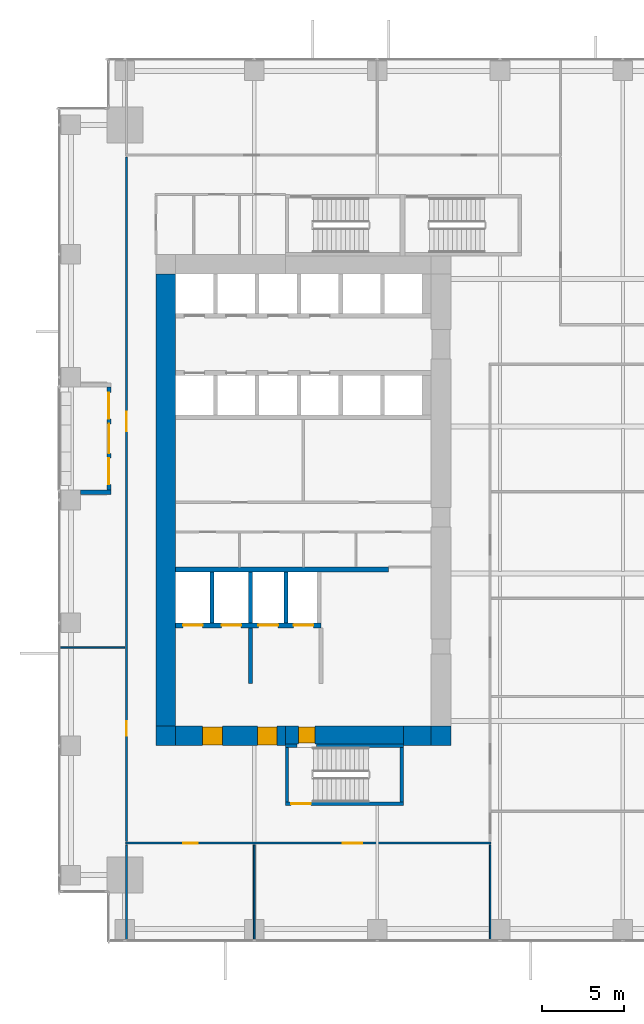
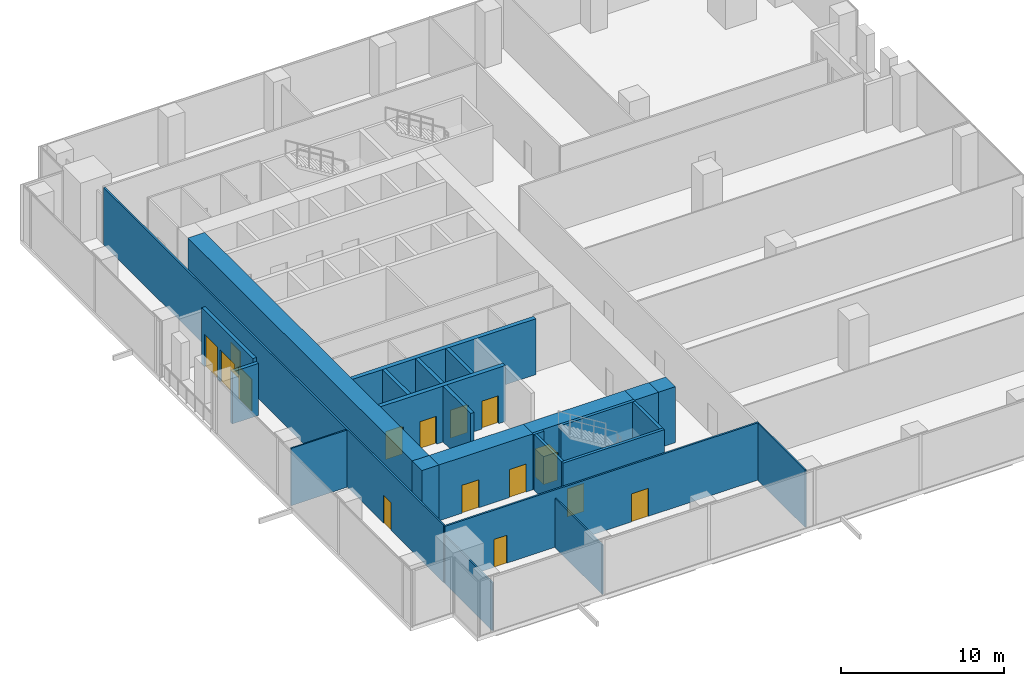
# One storey, part 26 of 32: 25 walls, 13 doors, 2 windows, 15 openings.
"""IFC4 building model written with IfcOpenShell, lengths in metres."""

from ifc_helpers import new_model, si_unit, direction, frame, frame_2d, origin, place, context, subcontext, project, spatial, rectangle, extrude, source, transform, mapped, material, layer, layer_set, type_object, element, fill, save


model = new_model("IFC4")

# Units and contexts
model_context = context("Model", 3, precision=1e-05, world=origin(), true_north=direction((0.0, 1.0)))
body_context = subcontext(model_context, "Body", "Model", "MODEL_VIEW")
ifc_project = project(units=[si_unit("LENGTHUNIT", "METRE"), si_unit("AREAUNIT", "SQUARE_METRE"), si_unit("VOLUMEUNIT", "CUBIC_METRE"), si_unit("PLANEANGLEUNIT", "RADIAN"), si_unit("MASSUNIT", "GRAM", prefix="KILO")], contexts=[model_context])

# Site, building, storey
site_placement = place(None, origin())
site = spatial("IfcSite", under=ifc_project, at=site_placement, CompositionType="ELEMENT")
building_placement = place(site_placement, origin())
building = spatial("IfcBuilding", under=site, at=building_placement, Name="Khomas Fold Tower", CompositionType="ELEMENT")
storey_placement = place(building_placement, frame((0.0, 0.0, 64.5)))
storey = spatial("IfcBuildingStorey", under=building, at=storey_placement, Name="L13", CompositionType="ELEMENT", Elevation=64.5)

# Wall, openings, doors
ifc_material_1 = material(Name="Concrete C70/85", Category="concrete")
ifc_layer_1 = layer(ifc_material_1, 1.199951171875)
ifc_layer_set_1 = layer_set([ifc_layer_1], Name="Concrete C70/85")
wall_type_1 = type_object("IfcWallType", Name="Core wall 1200", PredefinedType="SHEAR", material=ifc_layer_set_1)
shared_shape_1 = source(origin(), body_context, "Body", "SweptSolid", [
    extrude(rectangle(XDim=6.699951171875, YDim=1.199951171875, at=frame_2d((3.35009765625, 0.0))), origin(), (0.0, 0.0, 1.0), 4.199951171875),
])
wall_1_placement = place(storey_placement, frame((7.199951171875, 12.60009765625, 0.0), z_axis=(0.0, 0.0, 1.0), x_axis=(1.0, 0.0, 0.0)))
wall_1 = element("IfcWall", 1, at=wall_1_placement, inside=storey, type_object=wall_type_1, Name="Core wall CW-L-S-B2", PredefinedType="SHEAR", context=body_context, shape_type="MappedRepresentation", body=[
    mapped(shared_shape_1, transform((0.0, 0.0, 0.0))),
])
shared_shape_2 = source(origin(), body_context, "Body", "SweptSolid", [
    extrude(rectangle(XDim=1.199951171875, YDim=2.10009765625, at=frame_2d((0.60009765625, 1.050048828125))), frame((0.0, 0.60986328125, 0.0), z_axis=(0.0, -1.0, 0.0), x_axis=(1.0, 0.0, 0.0)), (0.0, 0.0, 1.0), 1.219970703125),
])
opening_1_placement = place(wall_1_placement, frame((5.0, 0.0, 0.0)))
opening_1 = element("IfcOpeningElement", 2, at=opening_1_placement, cuts=wall_1, Name="Opening 0009", PredefinedType="OPENING", context=body_context, shape_type="MappedRepresentation", body=[
    mapped(shared_shape_2, transform((0.0, 0.0, 0.0))),
])
opening_2_placement = place(wall_1_placement, frame((1.64990234375, 0.0, 0.0)))
opening_2 = element("IfcOpeningElement", 3, at=opening_2_placement, cuts=wall_1, Name="Opening 0009", PredefinedType="OPENING", context=body_context, shape_type="MappedRepresentation", body=[
    mapped(shared_shape_2, transform((0.0, 0.0, 0.0))),
])
ifc_material_2 = material(Name="Steel door leaf", Category="steel")
door_type_1 = type_object("IfcDoorType", Name="Lobby door 1200x2100 right-hand", OperationType="SINGLE_SWING_RIGHT", PredefinedType="DOOR", material=ifc_material_2)
shared_shape_3 = source(origin(), body_context, "Body", "SweptSolid", [
    extrude(rectangle(XDim=1.199951171875, YDim=2.10009765625, at=frame_2d((0.60009765625, 1.050048828125))), frame((0.0, 0.5498046875, 0.0), z_axis=(0.0, -1.0, 0.0), x_axis=(1.0, 0.0, 0.0)), (0.0, 0.0, 1.0), 1.099853515625),
])
door_1_placement = place(opening_1_placement, origin())
door_1 = element("IfcDoor", 4, at=door_1_placement, inside=storey, type_object=door_type_1, Name="Lobby door", OperationType="SINGLE_SWING_RIGHT", OverallHeight=2.10009765625, OverallWidth=1.199951171875, PredefinedType="DOOR", context=body_context, shape_type="MappedRepresentation", body=[
    mapped(shared_shape_3, transform((0.0, 0.0, 0.0))),
])
fill(opening_1, door_1)
door_2_placement = place(opening_2_placement, origin())
door_2 = element("IfcDoor", 5, at=door_2_placement, inside=storey, type_object=door_type_1, Name="Lobby door", OperationType="SINGLE_SWING_RIGHT", OverallHeight=2.10009765625, OverallWidth=1.199951171875, PredefinedType="DOOR", context=body_context, shape_type="MappedRepresentation", body=[
    mapped(shared_shape_3, transform((0.0, 0.0, 0.0))),
])
fill(opening_2, door_2)

# Walls
ifc_material_3 = material(Name="Concrete C70/85", Category="concrete")
ifc_layer_2 = layer(ifc_material_3, 1.199951171875)
ifc_layer_set_2 = layer_set([ifc_layer_2], Name="Concrete C70/85")
wall_type_2 = type_object("IfcWallType", Name="Core corner wall 1200", PredefinedType="SHEAR", material=ifc_layer_set_2)
shared_shape_4 = source(origin(), body_context, "Body", "SweptSolid", [
    extrude(rectangle(XDim=1.199951171875, YDim=1.199951171875, at=frame_2d((0.60009765625, 0.0))), origin(), (0.0, 0.0, 1.0), 4.199951171875),
])
for number, where, z_axis, x_axis, name in (
    (6, (22.800048828125, 12.60009765625, 0.0), (0.0, 0.0, 1.0), (1.0, 0.0, 0.0), "Core wall CW-L-SE-B2"),
    (7, (6.0, 12.60009765625, 0.0), (0.0, 0.0, 1.0), (1.0, 0.0, 0.0), "Core wall CW-L-SW-B2"),
):
    element("IfcWall", number, at=place(storey_placement, frame(where, z_axis=z_axis, x_axis=x_axis)), inside=storey, type_object=wall_type_2, Name=name, PredefinedType="SHEAR", context=body_context, shape_type="MappedRepresentation", body=[
        mapped(shared_shape_4, transform((0.0, 0.0, 0.0))),
    ])

# Wall, opening, door
ifc_material_4 = material(Name="Concrete C70/85", Category="concrete")
ifc_layer_3 = layer(ifc_material_4, 1.10009765625)
ifc_layer_set_3 = layer_set([ifc_layer_3], Name="Concrete C70/85")
wall_type_3 = type_object("IfcWallType", Name="Core wall 1100", PredefinedType="SHEAR", material=ifc_layer_set_3)
shared_shape_5 = source(origin(), body_context, "Body", "SweptSolid", [
    extrude(rectangle(XDim=7.2001953125, YDim=1.10009765625, at=frame_2d((3.60009765625, 0.0))), origin(), (0.0, 0.0, 1.0), 4.199951171875),
])
wall_2_placement = place(storey_placement, frame((13.89990234375, 12.64990234375, 0.0), z_axis=(0.0, 0.0, 1.0), x_axis=(1.0, 0.0, 0.0)))
wall_2 = element("IfcWall", 8, at=wall_2_placement, inside=storey, type_object=wall_type_3, Name="Core wall CW-L-S-B2-1", PredefinedType="SHEAR", context=body_context, shape_type="MappedRepresentation", body=[
    mapped(shared_shape_5, transform((0.0, 0.0, 0.0))),
])
shared_shape_6 = source(origin(), body_context, "Body", "SweptSolid", [
    extrude(rectangle(XDim=1.0, YDim=2.10009765625, at=frame_2d((0.5, 1.050048828125))), frame((0.0, 0.56005859375, 0.0), z_axis=(0.0, -1.0, 0.0), x_axis=(1.0, 0.0, 0.0)), (0.0, 0.0, 1.0), 1.1201171875),
])
opening_3_placement = place(wall_2_placement, frame((0.800048828125, 0.0, 0.0)))
opening_3 = element("IfcOpeningElement", 9, at=opening_3_placement, cuts=wall_2, Name="Opening 0010", PredefinedType="OPENING", context=body_context, shape_type="MappedRepresentation", body=[
    mapped(shared_shape_6, transform((0.0, 0.0, 0.0))),
])
ifc_material_5 = material(Name="Steel door leaf", Category="steel")
door_type_2 = type_object("IfcDoorType", Name="Stair door 1000x2100 right-hand", OperationType="SINGLE_SWING_RIGHT", PredefinedType="DOOR", material=ifc_material_5)
shared_shape_7 = source(origin(), body_context, "Body", "SweptSolid", [
    extrude(rectangle(XDim=1.0, YDim=2.10009765625, at=frame_2d((0.5, 1.050048828125))), frame((0.0, 0.5, 0.0), z_axis=(0.0, -1.0, 0.0), x_axis=(1.0, 0.0, 0.0)), (0.0, 0.0, 1.0), 1.0),
])
door_3_placement = place(opening_3_placement, origin())
door_3 = element("IfcDoor", 10, at=door_3_placement, inside=storey, type_object=door_type_2, Name="Stair door", OperationType="SINGLE_SWING_RIGHT", OverallHeight=2.10009765625, OverallWidth=1.0, PredefinedType="DOOR", context=body_context, shape_type="MappedRepresentation", body=[
    mapped(shared_shape_7, transform((0.0, 0.0, 0.0))),
])
fill(opening_3, door_3)

# Walls
shared_shape_8 = source(origin(), body_context, "Body", "SweptSolid", [
    extrude(rectangle(XDim=1.699951171875, YDim=1.199951171875, at=frame_2d((0.85009765625, 0.0))), origin(), (0.0, 0.0, 1.0), 4.199951171875),
])
wall_3_placement = place(storey_placement, frame((21.10009765625, 12.60009765625, 0.0), z_axis=(0.0, 0.0, 1.0), x_axis=(1.0, 0.0, 0.0)))
element("IfcWall", 11, at=wall_3_placement, inside=storey, type_object=wall_type_1, Name="Core wall CW-L-S-B2-2", PredefinedType="SHEAR", context=body_context, shape_type="MappedRepresentation", body=[
    mapped(shared_shape_8, transform((0.0, 0.0, 0.0))),
])
shared_shape_9 = source(origin(), body_context, "Body", "SweptSolid", [
    extrude(rectangle(XDim=27.60009765625, YDim=1.199951171875, at=frame_2d((13.800048828125, 0.0))), origin(), (0.0, 0.0, 1.0), 4.199951171875),
])
wall_4_placement = place(storey_placement, frame((6.60009765625, 13.199951171875, 0.0), z_axis=(0.0, 0.0, 1.0), x_axis=(0.0, 1.0, 0.0)))
element("IfcWall", 12, at=wall_4_placement, inside=storey, type_object=wall_type_1, Name="Core wall CW-L-W-B2", PredefinedType="SHEAR", context=body_context, shape_type="MappedRepresentation", body=[
    mapped(shared_shape_9, transform((0.0, 0.0, 0.0))),
])
ifc_material_6 = material(Name="Concrete C50/60", Category="concrete")
ifc_layer_4 = layer(ifc_material_6, 0.199951171875)
ifc_layer_set_4 = layer_set([ifc_layer_4], Name="Concrete C50/60")
wall_type_4 = type_object("IfcWallType", Name="Stair wall 200", PredefinedType="SHEAR", material=ifc_layer_set_4)
shared_shape_10 = source(origin(), body_context, "Body", "SweptSolid", [
    extrude(rectangle(XDim=0.7001953125, YDim=0.199951171875, at=frame_2d((0.35009765625, 0.0))), origin(), (0.0, 0.0, 1.0), 4.199951171875),
])
wall_5_placement = place(storey_placement, frame((13.89990234375, 12.0, 0.0), z_axis=(0.0, 0.0, 1.0), x_axis=(1.0, 0.0, 0.0)))
element("IfcWall", 13, at=wall_5_placement, inside=storey, type_object=wall_type_4, Name="Stair wall SW-ST2-N", PredefinedType="SHEAR", context=body_context, shape_type="MappedRepresentation", body=[
    mapped(shared_shape_10, transform((0.0, 0.0, 0.0))),
])
shared_shape_11 = source(origin(), body_context, "Body", "SweptSolid", [
    extrude(rectangle(XDim=5.300048828125, YDim=0.199951171875, at=frame_2d((2.64990234375, 0.0))), origin(), (0.0, 0.0, 1.0), 4.199951171875),
])
wall_6_placement = place(storey_placement, frame((15.800048828125, 12.0, 0.0), z_axis=(0.0, 0.0, 1.0), x_axis=(1.0, 0.0, 0.0)))
element("IfcWall", 14, at=wall_6_placement, inside=storey, type_object=wall_type_4, Name="Stair wall SW-ST2-NB", PredefinedType="SHEAR", context=body_context, shape_type="MappedRepresentation", body=[
    mapped(shared_shape_11, transform((0.0, 0.0, 0.0))),
])

# Wall, opening, door
shared_shape_12 = source(origin(), body_context, "Body", "SweptSolid", [
    extrude(rectangle(XDim=7.2001953125, YDim=0.199951171875, at=frame_2d((3.60009765625, 0.0))), origin(), (0.0, 0.0, 1.0), 4.199951171875),
])
wall_7_placement = place(storey_placement, frame((13.89990234375, 8.449951171875, 0.0), z_axis=(0.0, 0.0, 1.0), x_axis=(1.0, 0.0, 0.0)))
wall_7 = element("IfcWall", 15, at=wall_7_placement, inside=storey, type_object=wall_type_4, Name="Stair wall SW-ST2-S", PredefinedType="SHEAR", context=body_context, shape_type="MappedRepresentation", body=[
    mapped(shared_shape_12, transform((0.0, 0.0, 0.0))),
])
shared_shape_13 = source(origin(), body_context, "Body", "SweptSolid", [
    extrude(rectangle(XDim=1.199951171875, YDim=2.10009765625, at=frame_2d((0.60009765625, 1.050048828125))), frame((0.0, 0.10986328125, 0.0), z_axis=(0.0, -1.0, 0.0), x_axis=(1.0, 0.0, 0.0)), (0.0, 0.0, 1.0), 0.219970703125),
])
opening_4_placement = place(wall_7_placement, frame((0.35009765625, 0.0, 0.0)))
opening_4 = element("IfcOpeningElement", 16, at=opening_4_placement, cuts=wall_7, Name="Opening SD-ST2", PredefinedType="OPENING", context=body_context, shape_type="MappedRepresentation", body=[
    mapped(shared_shape_13, transform((0.0, 0.0, 0.0))),
])
ifc_material_7 = material(Name="Steel door leaf", Category="steel")
door_type_3 = type_object("IfcDoorType", Name="Stair door 1200x2100 right-hand", OperationType="SINGLE_SWING_RIGHT", PredefinedType="DOOR", material=ifc_material_7)
shared_shape_14 = source(origin(), body_context, "Body", "SweptSolid", [
    extrude(rectangle(XDim=1.199951171875, YDim=2.10009765625, at=frame_2d((0.60009765625, 1.050048828125))), frame((0.0, 0.02490234375, 0.0), z_axis=(0.0, -1.0, 0.0), x_axis=(1.0, 0.0, 0.0)), (0.0, 0.0, 1.0), 0.050048828125),
])
door_4_placement = place(opening_4_placement, origin())
door_4 = element("IfcDoor", 17, at=door_4_placement, inside=storey, type_object=door_type_3, Name="Stair door", OperationType="SINGLE_SWING_RIGHT", OverallHeight=2.10009765625, OverallWidth=1.199951171875, PredefinedType="DOOR", context=body_context, shape_type="MappedRepresentation", body=[
    mapped(shared_shape_14, transform((0.0, 0.0, 0.0))),
])
fill(opening_4, door_4)

# Walls
shared_shape_15 = source(origin(), body_context, "Body", "SweptSolid", [
    extrude(rectangle(XDim=3.349853515625, YDim=0.199951171875, at=frame_2d((1.6748046875, 0.0))), origin(), (0.0, 0.0, 1.0), 4.199951171875),
])
for number, where, z_axis, x_axis, name in (
    (18, (21.0, 8.550048828125, 0.0), (0.0, 0.0, 1.0), (0.0, 1.0, 0.0), "Stair wall SW-ST2-E"),
    (19, (14.0, 8.550048828125, 0.0), (0.0, 0.0, 1.0), (0.0, 1.0, 0.0), "Stair wall SW-ST2-W"),
):
    element("IfcWall", number, at=place(storey_placement, frame(where, z_axis=z_axis, x_axis=x_axis)), inside=storey, type_object=wall_type_4, Name=name, PredefinedType="SHEAR", context=body_context, shape_type="MappedRepresentation", body=[
        mapped(shared_shape_15, transform((0.0, 0.0, 0.0))),
    ])
ifc_material_8 = material(Name="Concrete C50/60", Category="concrete")
ifc_layer_5 = layer(ifc_material_8, 0.300048828125)
ifc_layer_set_5 = layer_set([ifc_layer_5], Name="Concrete C50/60")
wall_type_5 = type_object("IfcWallType", Name="Shaft wall 300", PredefinedType="STANDARD", material=ifc_layer_set_5)
shared_shape_16 = source(origin(), body_context, "Body", "SweptSolid", [
    extrude(rectangle(XDim=13.0, YDim=0.300048828125, at=frame_2d((6.5, 0.0))), origin(), (0.0, 0.0, 1.0), 4.199951171875),
])
wall_8_placement = place(storey_placement, frame((7.199951171875, 22.75, 0.0), z_axis=(0.0, 0.0, 1.0), x_axis=(1.0, 0.0, 0.0)))
element("IfcWall", 20, at=wall_8_placement, inside=storey, type_object=wall_type_5, Name="Core wall SW-FS-B", PredefinedType="STANDARD", context=body_context, shape_type="MappedRepresentation", body=[
    mapped(shared_shape_16, transform((0.0, 0.0, 0.0))),
])

# Wall, openings, doors
shared_shape_17 = source(origin(), body_context, "Body", "SweptSolid", [
    extrude(rectangle(XDim=8.875, YDim=0.300048828125, at=frame_2d((4.4375, 0.0))), origin(), (0.0, 0.0, 1.0), 4.199951171875),
])
wall_9_placement = place(storey_placement, frame((7.199951171875, 19.35009765625, 0.0), z_axis=(0.0, 0.0, 1.0), x_axis=(1.0, 0.0, 0.0)))
wall_9 = element("IfcWall", 21, at=wall_9_placement, inside=storey, type_object=wall_type_5, Name="Core wall SW-FS-F", PredefinedType="STANDARD", context=body_context, shape_type="MappedRepresentation", body=[
    mapped(shared_shape_17, transform((0.0, 0.0, 0.0))),
])
shared_shape_18 = source(origin(), body_context, "Body", "SweptSolid", [
    extrude(rectangle(XDim=1.199951171875, YDim=2.10009765625, at=frame_2d((0.60009765625, 1.050048828125))), frame((0.0, 0.159912109375, 0.0), z_axis=(0.0, -1.0, 0.0), x_axis=(1.0, 0.0, 0.0)), (0.0, 0.0, 1.0), 0.320068359375),
])
opening_5_placement = place(wall_9_placement, frame((0.449951171875, 0.0, 0.0)))
opening_5 = element("IfcOpeningElement", 22, at=opening_5_placement, cuts=wall_9, Name="Opening LD-SV1", PredefinedType="OPENING", context=body_context, shape_type="MappedRepresentation", body=[
    mapped(shared_shape_18, transform((0.0, 0.0, 0.0))),
])
opening_6_placement = place(wall_9_placement, frame((2.800048828125, 0.0, 0.0)))
opening_6 = element("IfcOpeningElement", 23, at=opening_6_placement, cuts=wall_9, Name="Opening LD-SV2", PredefinedType="OPENING", context=body_context, shape_type="MappedRepresentation", body=[
    mapped(shared_shape_18, transform((0.0, 0.0, 0.0))),
])
opening_7_placement = place(wall_9_placement, frame((5.050048828125, 0.0, 0.0)))
opening_7 = element("IfcOpeningElement", 24, at=opening_7_placement, cuts=wall_9, Name="Opening LD-FF1", PredefinedType="OPENING", context=body_context, shape_type="MappedRepresentation", body=[
    mapped(shared_shape_18, transform((0.0, 0.0, 0.0))),
])
opening_8_placement = place(wall_9_placement, frame((7.199951171875, 0.0, 0.0)))
opening_8 = element("IfcOpeningElement", 25, at=opening_8_placement, cuts=wall_9, Name="Opening LD-FF2", PredefinedType="OPENING", context=body_context, shape_type="MappedRepresentation", body=[
    mapped(shared_shape_18, transform((0.0, 0.0, 0.0))),
])
ifc_material_9 = material(Name="Steel door leaf", Category="steel")
door_type_4 = type_object("IfcDoorType", Name="Landing door 1200x2100", OperationType="DOUBLE_DOOR_SLIDING", PredefinedType="DOOR", material=ifc_material_9)
door_5_placement = place(opening_5_placement, origin())
door_5 = element("IfcDoor", 26, at=door_5_placement, inside=storey, type_object=door_type_4, Name="Lift landing door", OperationType="DOUBLE_DOOR_SLIDING", OverallHeight=2.10009765625, OverallWidth=1.199951171875, PredefinedType="DOOR", context=body_context, shape_type="MappedRepresentation", body=[
    mapped(shared_shape_14, transform((0.0, 0.0, 0.0))),
])
fill(opening_5, door_5)
door_6_placement = place(opening_6_placement, origin())
door_6 = element("IfcDoor", 27, at=door_6_placement, inside=storey, type_object=door_type_4, Name="Lift landing door", OperationType="DOUBLE_DOOR_SLIDING", OverallHeight=2.10009765625, OverallWidth=1.199951171875, PredefinedType="DOOR", context=body_context, shape_type="MappedRepresentation", body=[
    mapped(shared_shape_14, transform((0.0, 0.0, 0.0))),
])
fill(opening_6, door_6)
door_7_placement = place(opening_7_placement, origin())
door_7 = element("IfcDoor", 28, at=door_7_placement, inside=storey, type_object=door_type_4, Name="Lift landing door", OperationType="DOUBLE_DOOR_SLIDING", OverallHeight=2.10009765625, OverallWidth=1.199951171875, PredefinedType="DOOR", context=body_context, shape_type="MappedRepresentation", body=[
    mapped(shared_shape_14, transform((0.0, 0.0, 0.0))),
])
fill(opening_7, door_7)
door_8_placement = place(opening_8_placement, origin())
door_8 = element("IfcDoor", 29, at=door_8_placement, inside=storey, type_object=door_type_4, Name="Lift landing door", OperationType="DOUBLE_DOOR_SLIDING", OverallHeight=2.10009765625, OverallWidth=1.199951171875, PredefinedType="DOOR", context=body_context, shape_type="MappedRepresentation", body=[
    mapped(shared_shape_14, transform((0.0, 0.0, 0.0))),
])
fill(opening_8, door_8)

# Walls
ifc_material_10 = material(Name="Concrete C50/60", Category="concrete")
ifc_layer_6 = layer(ifc_material_10, 0.25)
ifc_layer_set_6 = layer_set([ifc_layer_6], Name="Concrete C50/60")
wall_type_6 = type_object("IfcWallType", Name="Shaft wall 250", PredefinedType="STANDARD", material=ifc_layer_set_6)
shared_shape_19 = source(origin(), body_context, "Body", "SweptSolid", [
    extrude(rectangle(XDim=3.10009765625, YDim=0.25, at=frame_2d((1.550048828125, 0.0))), origin(), (0.0, 0.0, 1.0), 4.199951171875),
])
for number, where, z_axis, x_axis, name in (
    (30, (9.425048828125, 19.5, 0.0), (0.0, 0.0, 1.0), (0.0, 1.0, 0.0), "Core wall SW-FS-P1"),
    (31, (11.77490234375, 19.5, 0.0), (0.0, 0.0, 1.0), (0.0, 1.0, 0.0), "Core wall SW-FS-P2"),
    (32, (13.925048828125, 19.5, 0.0), (0.0, 0.0, 1.0), (0.0, 1.0, 0.0), "Core wall SW-FS-P3"),
):
    element("IfcWall", number, at=place(storey_placement, frame(where, z_axis=z_axis, x_axis=x_axis)), inside=storey, type_object=wall_type_6, Name=name, PredefinedType="STANDARD", context=body_context, shape_type="MappedRepresentation", body=[
        mapped(shared_shape_19, transform((0.0, 0.0, 0.0))),
    ])
ifc_material_11 = material(Name="Concrete C50/60", Category="concrete")
ifc_layer_7 = layer(ifc_material_11, 0.25)
ifc_layer_set_7 = layer_set([ifc_layer_7], Name="Concrete C50/60")
wall_type_7 = type_object("IfcWallType", Name="Lobby wall 250", PredefinedType="STANDARD", material=ifc_layer_set_7)
shared_shape_20 = source(origin(), body_context, "Body", "SweptSolid", [
    extrude(rectangle(XDim=3.39990234375, YDim=0.25, at=frame_2d((1.699951171875, 0.0))), origin(), (0.0, 0.0, 1.0), 4.199951171875),
])
wall_10_placement = place(storey_placement, frame((11.77490234375, 15.800048828125, 0.0), z_axis=(0.0, 0.0, 1.0), x_axis=(0.0, 1.0, 0.0)))
element("IfcWall", 33, at=wall_10_placement, inside=storey, type_object=wall_type_7, Name="Core wall SW-FS-SEP", PredefinedType="STANDARD", context=body_context, shape_type="MappedRepresentation", body=[
    mapped(shared_shape_20, transform((0.0, 0.0, 0.0))),
])
ifc_material_12 = material(Name="Natural stone", Category="masonry")
ifc_layer_8 = layer(ifc_material_12, 0.0400390625)
ifc_material_13 = material(Name="Mineral wool insulation", Category="insulation")
ifc_layer_9 = layer(ifc_material_13, 0.10009765625)
ifc_material_14 = material(Name="Masonry", Category="masonry")
ifc_layer_10 = layer(ifc_material_14, 0.110107421875)
ifc_layer_set_8 = layer_set([ifc_layer_8, ifc_layer_9, ifc_layer_10], Name="Stone-faced insulated masonry")
wall_type_8 = type_object("IfcWallType", Name="BL-Balcony wall", PredefinedType="SOLIDWALL", material=ifc_layer_set_8)
shared_shape_21 = source(origin(), body_context, "Body", "SweptSolid", [
    extrude(rectangle(XDim=1.85009765625, YDim=0.25, at=frame_2d((0.925048828125, 0.0))), origin(), (0.0, 0.0, 1.0), 3.89990234375),
])
wall_11_placement = place(storey_placement, frame((1.39990234375, 27.47509765625, 0.0), z_axis=(0.0, 0.0, 1.0), x_axis=(1.0, 0.0, 0.0)))
element("IfcWall", 34, at=wall_11_placement, inside=storey, type_object=wall_type_8, Name="Balcony return wall BAL-L13-W3-lo", PredefinedType="SOLIDWALL", context=body_context, shape_type="MappedRepresentation", body=[
    mapped(shared_shape_21, transform((0.0, 0.0, 0.0))),
])

# Wall, openings, windows, door
shared_shape_22 = source(origin(), body_context, "Body", "SweptSolid", [
    extrude(rectangle(XDim=6.2998046875, YDim=0.25, at=frame_2d((3.14990234375, 0.0))), origin(), (0.0, 0.0, 1.0), 4.199951171875),
])
wall_12_placement = place(storey_placement, frame((3.125, 27.60009765625, 0.0), z_axis=(0.0, 0.0, 1.0), x_axis=(0.0, 1.0, 0.0)))
wall_12 = element("IfcWall", 35, at=wall_12_placement, inside=storey, type_object=wall_type_8, Name="Balcony wall BAL-L13-W3", PredefinedType="SOLIDWALL", context=body_context, shape_type="MappedRepresentation", body=[
    mapped(shared_shape_22, transform((0.0, 0.0, 0.0))),
])
shared_shape_23 = source(origin(), body_context, "Body", "SweptSolid", [
    extrude(rectangle(XDim=1.60009765625, YDim=2.39990234375, at=frame_2d((0.800048828125, 1.199951171875))), frame((0.0, 0.135009765625, 0.0), z_axis=(0.0, -1.0, 0.0), x_axis=(1.0, 0.0, 0.0)), (0.0, 0.0, 1.0), 0.27001953125),
])
opening_9_placement = place(wall_12_placement, frame((0.35009765625, 0.0, 0.0)))
opening_9 = element("IfcOpeningElement", 36, at=opening_9_placement, cuts=wall_12, Name="Opening BL-W1", PredefinedType="OPENING", context=body_context, shape_type="MappedRepresentation", body=[
    mapped(shared_shape_23, transform((0.0, 0.0, 0.0))),
])
opening_10_placement = place(wall_12_placement, frame((4.35009765625, 0.0, 0.0)))
opening_10 = element("IfcOpeningElement", 37, at=opening_10_placement, cuts=wall_12, Name="Opening BL-W1", PredefinedType="OPENING", context=body_context, shape_type="MappedRepresentation", body=[
    mapped(shared_shape_23, transform((0.0, 0.0, 0.0))),
])
shared_shape_24 = source(origin(), body_context, "Body", "SweptSolid", [
    extrude(rectangle(XDim=1.800048828125, YDim=2.39990234375, at=frame_2d((0.89990234375, 1.199951171875))), frame((0.0, 0.135009765625, 0.0), z_axis=(0.0, -1.0, 0.0), x_axis=(1.0, 0.0, 0.0)), (0.0, 0.0, 1.0), 0.27001953125),
])
opening_11_placement = place(wall_12_placement, frame((2.25, 0.0, 0.0)))
opening_11 = element("IfcOpeningElement", 38, at=opening_11_placement, cuts=wall_12, Name="Opening BD132", PredefinedType="OPENING", context=body_context, shape_type="MappedRepresentation", body=[
    mapped(shared_shape_24, transform((0.0, 0.0, 0.0))),
])
ifc_material_15 = material(Name="Aluminium framed double glazing", Category="aluminium")
window_type = type_object("IfcWindowType", Name="BL-Fixed glazing 1600 x 2400", PartitioningType="SINGLE_PANEL", PredefinedType="WINDOW", material=ifc_material_15)
shared_shape_25 = source(origin(), body_context, "Body", "SweptSolid", [
    extrude(rectangle(XDim=1.60009765625, YDim=2.39990234375, at=frame_2d((0.800048828125, 1.199951171875))), frame((0.0, 0.030029296875, 0.0), z_axis=(0.0, -1.0, 0.0), x_axis=(1.0, 0.0, 0.0)), (0.0, 0.0, 1.0), 0.06005859375),
])
window_1_placement = place(opening_9_placement, origin())
window_1 = element("IfcWindow", 39, at=window_1_placement, inside=storey, type_object=window_type, Name="Balcony glazing BAL-L13-W3-1", OverallHeight=2.39990234375, OverallWidth=1.60009765625, PartitioningType="SINGLE_PANEL", PredefinedType="WINDOW", context=body_context, shape_type="MappedRepresentation", body=[
    mapped(shared_shape_25, transform((0.0, 0.0, 0.0))),
])
fill(opening_9, window_1)
window_2_placement = place(opening_10_placement, origin())
window_2 = element("IfcWindow", 40, at=window_2_placement, inside=storey, type_object=window_type, Name="Balcony glazing BAL-L13-W3-2", OverallHeight=2.39990234375, OverallWidth=1.60009765625, PartitioningType="SINGLE_PANEL", PredefinedType="WINDOW", context=body_context, shape_type="MappedRepresentation", body=[
    mapped(shared_shape_25, transform((0.0, 0.0, 0.0))),
])
fill(opening_10, window_2)
ifc_material_16 = material(Name="Aluminium framed double glazing", Category="aluminium")
door_type_5 = type_object("IfcDoorType", Name="BL-Glazed balcony door 1800 x 2400", OperationType="DOUBLE_DOOR_DOUBLE_SWING", PredefinedType="DOOR", material=ifc_material_16)
shared_shape_26 = source(origin(), body_context, "Body", "SweptSolid", [
    extrude(rectangle(XDim=1.800048828125, YDim=2.39990234375, at=frame_2d((0.89990234375, 1.199951171875))), frame((0.0, 0.02490234375, 0.0), z_axis=(0.0, -1.0, 0.0), x_axis=(1.0, 0.0, 0.0)), (0.0, 0.0, 1.0), 0.050048828125),
])
door_9_placement = place(opening_11_placement, origin())
door_9 = element("IfcDoor", 41, at=door_9_placement, inside=storey, type_object=door_type_5, Name="Balcony door BD132", OperationType="DOUBLE_DOOR_DOUBLE_SWING", OverallHeight=2.39990234375, OverallWidth=1.800048828125, PredefinedType="DOOR", context=body_context, shape_type="MappedRepresentation", body=[
    mapped(shared_shape_26, transform((0.0, 0.0, 0.0))),
])
fill(opening_11, door_9)

# Walls
ifc_material_17 = material(Name="Plasterboard partition")
ifc_layer_11 = layer(ifc_material_17, 0.10009765625)
ifc_layer_set_9 = layer_set([ifc_layer_11], Name="Plasterboard partition")
wall_type_9 = type_object("IfcWallType", Name="Partition PW1 100", PredefinedType="PARTITIONING", material=ifc_layer_set_9)
shared_shape_27 = source(origin(), body_context, "Body", "SweptSolid", [
    extrude(rectangle(XDim=5.800048828125, YDim=0.10009765625, at=frame_2d((2.89990234375, 0.0))), origin(), (0.0, 0.0, 1.0), 3.60009765625),
])
wall_13_placement = place(storey_placement, frame((4.199951171875, 0.14990234375, 0.0), z_axis=(0.0, 0.0, 1.0), x_axis=(0.0, 1.0, 0.0)))
element("IfcWall", 42, at=wall_13_placement, inside=storey, type_object=wall_type_9, Name="Partition", PredefinedType="PARTITIONING", context=body_context, shape_type="MappedRepresentation", body=[
    mapped(shared_shape_27, transform((0.0, 0.0, 0.0))),
])
shared_shape_28 = source(origin(), body_context, "Body", "SweptSolid", [
    extrude(rectangle(XDim=5.800048828125, YDim=0.10009765625, at=frame_2d((2.89990234375, 0.0))), origin(), (0.0, 0.0, 1.0), 3.699951171875),
])
wall_14_placement = place(storey_placement, frame((12.0, 0.14990234375, 0.0), z_axis=(0.0, 0.0, 1.0), x_axis=(0.0, 1.0, 0.0)))
element("IfcWall", 43, at=wall_14_placement, inside=storey, type_object=wall_type_9, Name="Partition", PredefinedType="PARTITIONING", context=body_context, shape_type="MappedRepresentation", body=[
    mapped(shared_shape_28, transform((0.0, 0.0, 0.0))),
])
shared_shape_29 = source(origin(), body_context, "Body", "SweptSolid", [
    extrude(rectangle(XDim=3.9501953125, YDim=0.10009765625, at=frame_2d((1.97509765625, 0.0))), origin(), (0.0, 0.0, 1.0), 4.300048828125),
])
wall_15_placement = place(storey_placement, frame((0.14990234375, 18.0, 0.0), z_axis=(0.0, 0.0, 1.0), x_axis=(1.0, 0.0, 0.0)))
element("IfcWall", 44, at=wall_15_placement, inside=storey, type_object=wall_type_9, Name="Partition", PredefinedType="PARTITIONING", context=body_context, shape_type="MappedRepresentation", body=[
    mapped(shared_shape_29, transform((0.0, 0.0, 0.0))),
])
shared_shape_30 = source(origin(), body_context, "Body", "SweptSolid", [
    extrude(rectangle(XDim=5.800048828125, YDim=0.10009765625, at=frame_2d((2.89990234375, 0.0))), origin(), (0.0, 0.0, 1.0), 4.300048828125),
])
wall_16_placement = place(storey_placement, frame((26.39990234375, 0.14990234375, 0.0), z_axis=(0.0, 0.0, 1.0), x_axis=(0.0, 1.0, 0.0)))
element("IfcWall", 45, at=wall_16_placement, inside=storey, type_object=wall_type_9, Name="Partition", PredefinedType="PARTITIONING", context=body_context, shape_type="MappedRepresentation", body=[
    mapped(shared_shape_30, transform((0.0, 0.0, 0.0))),
])

# Wall, openings, doors
ifc_material_18 = material(Name="Plasterboard partition")
ifc_layer_12 = layer(ifc_material_18, 0.125)
ifc_layer_set_10 = layer_set([ifc_layer_12], Name="Plasterboard partition")
wall_type_10 = type_object("IfcWallType", Name="Partition PW2 125", PredefinedType="PARTITIONING", material=ifc_layer_set_10)
shared_shape_31 = source(origin(), body_context, "Body", "SweptSolid", [
    extrude(rectangle(XDim=22.300048828125, YDim=0.125, at=frame_2d((11.14990234375, 0.0))), origin(), (0.0, 0.0, 1.0), 4.300048828125),
])
wall_17_placement = place(storey_placement, frame((4.14990234375, 6.050048828125, 0.0), z_axis=(0.0, 0.0, 1.0), x_axis=(1.0, 0.0, 0.0)))
wall_17 = element("IfcWall", 46, at=wall_17_placement, inside=storey, type_object=wall_type_10, Name="Partition", PredefinedType="PARTITIONING", context=body_context, shape_type="MappedRepresentation", body=[
    mapped(shared_shape_31, transform((0.0, 0.0, 0.0))),
])
shared_shape_32 = source(origin(), body_context, "Body", "SweptSolid", [
    extrude(rectangle(XDim=0.89990234375, YDim=2.10009765625, at=frame_2d((0.449951171875, 1.050048828125))), frame((0.0, 0.072509765625, 0.0), z_axis=(0.0, -1.0, 0.0), x_axis=(1.0, 0.0, 0.0)), (0.0, 0.0, 1.0), 0.14501953125),
])
opening_12_placement = place(wall_17_placement, frame((3.5, 0.0, 0.0)))
opening_12 = element("IfcOpeningElement", 47, at=opening_12_placement, cuts=wall_17, Name="Opening 0007", PredefinedType="OPENING", context=body_context, shape_type="MappedRepresentation", body=[
    mapped(shared_shape_32, transform((0.0, 0.0, 0.0))),
])
shared_shape_33 = source(origin(), body_context, "Body", "SweptSolid", [
    extrude(rectangle(XDim=1.199951171875, YDim=2.10009765625, at=frame_2d((0.60009765625, 1.050048828125))), frame((0.0, 0.072509765625, 0.0), z_axis=(0.0, -1.0, 0.0), x_axis=(1.0, 0.0, 0.0)), (0.0, 0.0, 1.0), 0.14501953125),
])
opening_13_placement = place(wall_17_placement, frame((13.25, 0.0, 0.0)))
opening_13 = element("IfcOpeningElement", 48, at=opening_13_placement, cuts=wall_17, Name="Opening 0001", PredefinedType="OPENING", context=body_context, shape_type="MappedRepresentation", body=[
    mapped(shared_shape_33, transform((0.0, 0.0, 0.0))),
])
ifc_material_19 = material(Name="Timber door leaf", Category="wood")
door_type_6 = type_object("IfcDoorType", Name="Door 900x2100 left-hand", OperationType="SINGLE_SWING_LEFT", PredefinedType="DOOR", material=ifc_material_19)
shared_shape_34 = source(origin(), body_context, "Body", "SweptSolid", [
    extrude(rectangle(XDim=0.89990234375, YDim=2.10009765625, at=frame_2d((0.449951171875, 1.050048828125))), frame((0.0, 0.02490234375, 0.0), z_axis=(0.0, -1.0, 0.0), x_axis=(1.0, 0.0, 0.0)), (0.0, 0.0, 1.0), 0.050048828125),
])
door_10_placement = place(opening_12_placement, origin())
door_10 = element("IfcDoor", 49, at=door_10_placement, inside=storey, type_object=door_type_6, Name="Door", OperationType="SINGLE_SWING_LEFT", OverallHeight=2.10009765625, OverallWidth=0.89990234375, PredefinedType="DOOR", context=body_context, shape_type="MappedRepresentation", body=[
    mapped(shared_shape_34, transform((0.0, 0.0, 0.0))),
])
fill(opening_12, door_10)
ifc_material_20 = material(Name="Timber door leaf", Category="wood")
door_type_7 = type_object("IfcDoorType", Name="Door 1200x2100 right-hand", OperationType="SINGLE_SWING_RIGHT", PredefinedType="DOOR", material=ifc_material_20)
door_11_placement = place(opening_13_placement, origin())
door_11 = element("IfcDoor", 50, at=door_11_placement, inside=storey, type_object=door_type_7, Name="Door", OperationType="SINGLE_SWING_RIGHT", OverallHeight=2.10009765625, OverallWidth=1.199951171875, PredefinedType="DOOR", context=body_context, shape_type="MappedRepresentation", body=[
    mapped(shared_shape_14, transform((0.0, 0.0, 0.0))),
])
fill(opening_13, door_11)

shared_shape_35 = source(origin(), body_context, "Body", "SweptSolid", [
    extrude(rectangle(XDim=41.800048828125, YDim=0.125, at=frame_2d((20.89990234375, 0.0))), origin(), (0.0, 0.0, 1.0), 4.300048828125),
])
wall_18_placement = place(storey_placement, frame((4.199951171875, 6.14990234375, 0.0), z_axis=(0.0, 0.0, 1.0), x_axis=(0.0, 1.0, 0.0)))
wall_18 = element("IfcWall", 51, at=wall_18_placement, inside=storey, type_object=wall_type_10, Name="Partition", PredefinedType="PARTITIONING", context=body_context, shape_type="MappedRepresentation", body=[
    mapped(shared_shape_35, transform((0.0, 0.0, 0.0))),
])
opening_14_placement = place(wall_18_placement, frame((6.449951171875, 0.0, 0.0)))
opening_14 = element("IfcOpeningElement", 52, at=opening_14_placement, cuts=wall_18, Name="Opening 0008", PredefinedType="OPENING", context=body_context, shape_type="MappedRepresentation", body=[
    mapped(shared_shape_32, transform((0.0, 0.0, 0.0))),
])
opening_15_placement = place(wall_18_placement, frame((25.050048828125, 0.0, 0.0)))
opening_15 = element("IfcOpeningElement", 53, at=opening_15_placement, cuts=wall_18, Name="Opening 0001", PredefinedType="OPENING", context=body_context, shape_type="MappedRepresentation", body=[
    mapped(shared_shape_33, transform((0.0, 0.0, 0.0))),
])
ifc_material_21 = material(Name="Timber door leaf", Category="wood")
door_type_8 = type_object("IfcDoorType", Name="Door 900x2100 right-hand", OperationType="SINGLE_SWING_RIGHT", PredefinedType="DOOR", material=ifc_material_21)
door_12_placement = place(opening_14_placement, origin())
door_12 = element("IfcDoor", 54, at=door_12_placement, inside=storey, type_object=door_type_8, Name="Door", OperationType="SINGLE_SWING_RIGHT", OverallHeight=2.10009765625, OverallWidth=0.89990234375, PredefinedType="DOOR", context=body_context, shape_type="MappedRepresentation", body=[
    mapped(shared_shape_34, transform((0.0, 0.0, 0.0))),
])
fill(opening_14, door_12)
door_13_placement = place(opening_15_placement, origin())
door_13 = element("IfcDoor", 55, at=door_13_placement, inside=storey, type_object=door_type_7, Name="Door", OperationType="SINGLE_SWING_RIGHT", OverallHeight=2.10009765625, OverallWidth=1.199951171875, PredefinedType="DOOR", context=body_context, shape_type="MappedRepresentation", body=[
    mapped(shared_shape_14, transform((0.0, 0.0, 0.0))),
])
fill(opening_15, door_13)

save(model, "model.ifc")
